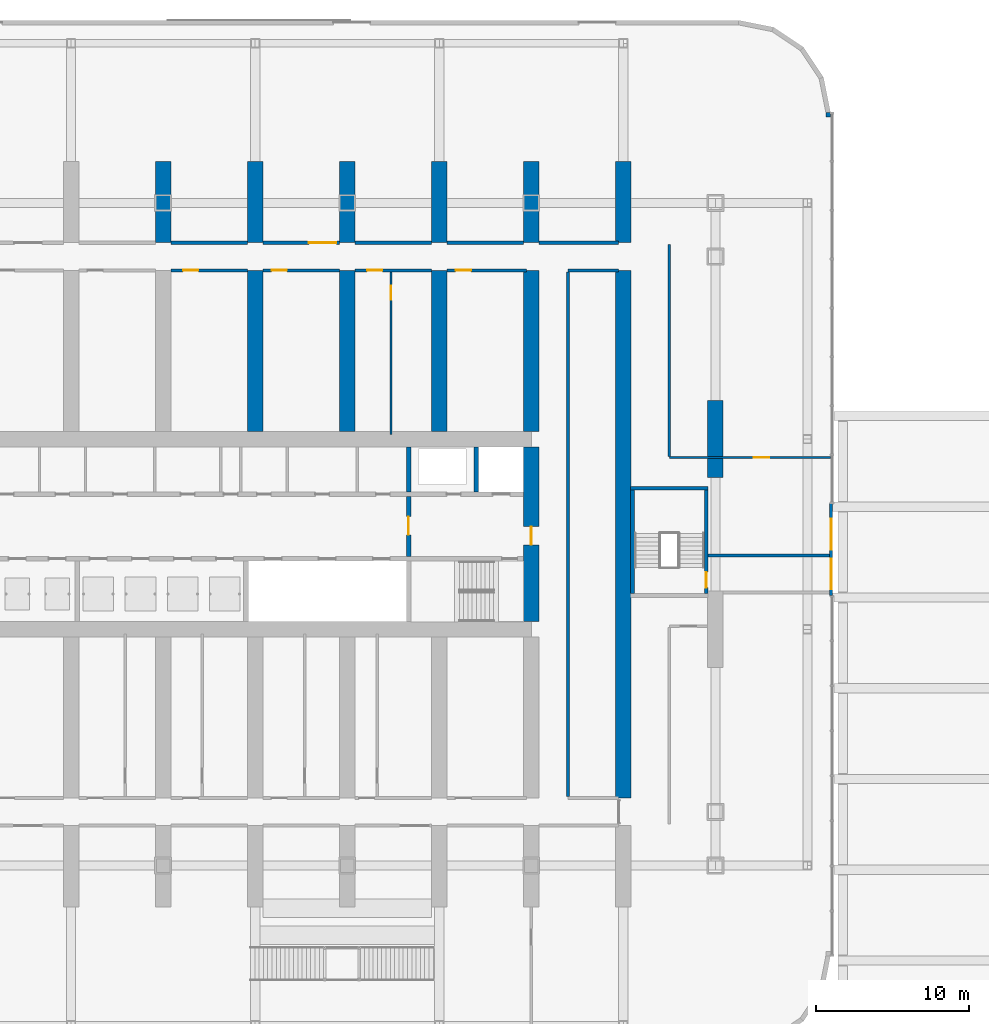
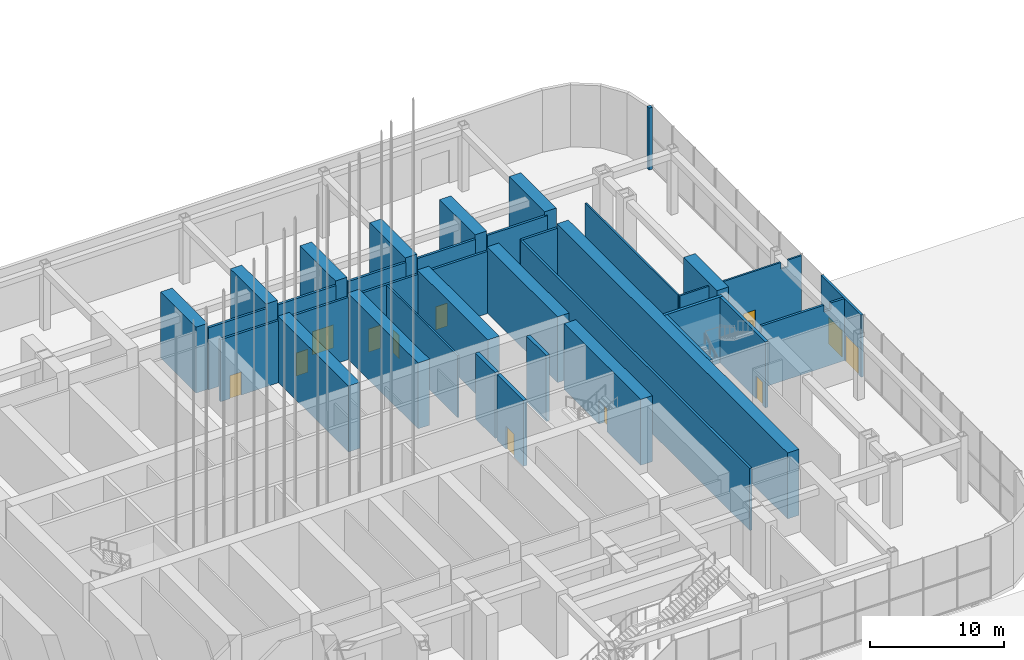
# One storey, part 21 of 57: 36 walls, 12 doors, 12 openings.
"""IFC4 building model written with IfcOpenShell, lengths in metres."""

from ifc_helpers import new_model, si_unit, direction, frame, frame_2d, origin, place, context, subcontext, project, spatial, polyline, rectangle, outline, extrude, material, layer, layer_set, type_object, element, fill, save


model = new_model("IFC4")

# Units and contexts
model_context = context("Model", 3, precision=1e-05, world=origin(), true_north=direction((0.0, 1.0)))
body_context = subcontext(model_context, "Body", "Model", "MODEL_VIEW")
ifc_project = project(units=[si_unit("LENGTHUNIT", "METRE"), si_unit("AREAUNIT", "SQUARE_METRE"), si_unit("VOLUMEUNIT", "CUBIC_METRE"), si_unit("PLANEANGLEUNIT", "RADIAN"), si_unit("MASSUNIT", "GRAM", prefix="KILO")], contexts=[model_context])

# Site, building, storey
site_placement = place(None, origin())
site = spatial("IfcSite", under=ifc_project, at=site_placement, CompositionType="ELEMENT")
building_placement = place(site_placement, origin())
building = spatial("IfcBuilding", under=site, at=building_placement, Name="Orbita Commons", CompositionType="ELEMENT")
storey_placement = place(building_placement, origin())
storey = spatial("IfcBuildingStorey", under=building, at=storey_placement, Name="L00", CompositionType="ELEMENT", Elevation=0.0)

# Wall, opening, door
ifc_material_1 = material(Name="Concrete C50/60", Category="concrete")
ifc_layer_1 = layer(ifc_material_1, 0.300048828125)
ifc_layer_set_1 = layer_set([ifc_layer_1], Name="Concrete C50/60")
wall_type_1 = type_object("IfcWallType", Name="Core inner wall 300 C50/60", PredefinedType="SHEAR", material=ifc_layer_set_1)
wall_1_placement = place(storey_placement, frame((58.0, 30.550048828125, 0.0), z_axis=(0.0, 0.0, 1.0), x_axis=(0.0, 1.0, 0.0)))
wall_1 = element("IfcWall", 1, at=wall_1_placement, inside=storey, type_object=wall_type_1, Name="Firefighting lobby wall east L00", PredefinedType="SHEAR", context=body_context, shape_type="SweptSolid", body=[
    extrude(rectangle(XDim=3.89990234375, YDim=0.300048828125, at=frame_2d((1.949951171875, 0.0))), origin(), (0.0, 0.0, 1.0), 6.0),
])
opening_1_placement = place(wall_1_placement, frame((1.39990234375, 0.0, 0.0)))
opening_1 = element("IfcOpeningElement", 2, at=opening_1_placement, cuts=wall_1, Name="Opening D04", PredefinedType="OPENING", context=body_context, shape_type="SweptSolid", body=[
    extrude(rectangle(XDim=1.199951171875, YDim=2.10009765625, at=frame_2d((0.60009765625, 1.050048828125))), frame((0.0, 0.159912109375, 0.0), z_axis=(0.0, -1.0, 0.0), x_axis=(1.0, 0.0, 0.0)), (0.0, 0.0, 1.0), 0.320068359375),
])
ifc_material_2 = material(Name="Steel-faced fire door leaf", Category="steel")
door_type_1 = type_object("IfcDoorType", Name="Service door 20 min 1200x2100", OperationType="SINGLE_SWING_LEFT", PredefinedType="DOOR", material=ifc_material_2)
door_1_placement = place(opening_1_placement, origin())
door_1 = element("IfcDoor", 3, at=door_1_placement, inside=storey, type_object=door_type_1, Name="Lift lobby door east", OperationType="SINGLE_SWING_LEFT", OverallHeight=2.10009765625, OverallWidth=1.199951171875, PredefinedType="DOOR", context=body_context, shape_type="SweptSolid", body=[
    extrude(rectangle(XDim=1.199951171875, YDim=2.10009765625, at=frame_2d((0.60009765625, 1.050048828125))), frame((0.0, 0.02490234375, 0.0), z_axis=(0.0, -1.0, 0.0), x_axis=(1.0, 0.0, 0.0)), (0.0, 0.0, 1.0), 0.050048828125),
])
fill(opening_1, door_1)

# Walls
for number, where, z_axis, x_axis, name in (
    (4, (62.39990234375, 34.75, 0.0), (0.0, 0.0, 1.0), (0.0, 1.0, 0.0), "Firefighting lift FL2 shaft wall L00"),
    (5, (58.0, 34.75, 0.0), (0.0, 0.0, 1.0), (0.0, 1.0, 0.0), "Riser wall east L00"),
):
    element("IfcWall", number, at=place(storey_placement, frame(where, z_axis=z_axis, x_axis=x_axis)), inside=storey, type_object=wall_type_1, Name=name, PredefinedType="SHEAR", context=body_context, shape_type="SweptSolid", body=[
        extrude(rectangle(XDim=2.949951171875, YDim=0.300048828125, at=frame_2d((1.47509765625, 0.0))), origin(), (0.0, 0.0, 1.0), 6.0),
    ])

# Wall, opening, door
ifc_material_3 = material(Name="Concrete C50/60", Category="concrete")
ifc_layer_2 = layer(ifc_material_3, 1.0)
ifc_layer_set_2 = layer_set([ifc_layer_2], Name="Concrete C50/60")
wall_type_2 = type_object("IfcWallType", Name="Core wall 1000 C50/60", PredefinedType="SHEAR", material=ifc_layer_set_2)
wall_2_placement = place(storey_placement, frame((66.0, 26.300048828125, 0.0), z_axis=(0.0, 0.0, 1.0), x_axis=(0.0, 1.0, 0.0)))
wall_2 = element("IfcWall", 6, at=wall_2_placement, inside=storey, type_object=wall_type_2, Name="Core end wall east L00", PredefinedType="SHEAR", context=body_context, shape_type="SweptSolid", body=[
    extrude(rectangle(XDim=11.39990234375, YDim=1.0, at=frame_2d((5.699951171875, 0.0))), origin(), (0.0, 0.0, 1.0), 6.0),
])
opening_2_placement = place(wall_2_placement, frame((5.0, 0.0, 0.0)))
opening_2 = element("IfcOpeningElement", 7, at=opening_2_placement, cuts=wall_2, Name="Opening D01", PredefinedType="OPENING", context=body_context, shape_type="SweptSolid", body=[
    extrude(rectangle(XDim=1.199951171875, YDim=2.10009765625, at=frame_2d((0.60009765625, 1.050048828125))), frame((0.0, 0.510009765625, 0.0), z_axis=(0.0, -1.0, 0.0), x_axis=(1.0, 0.0, 0.0)), (0.0, 0.0, 1.0), 1.02001953125),
])
ifc_material_4 = material(Name="Steel-faced fire door leaf", Category="steel")
door_type_2 = type_object("IfcDoorType", Name="Fire door 90 min 1200x2100", OperationType="SINGLE_SWING_LEFT", PredefinedType="DOOR", material=ifc_material_4)
door_2_placement = place(opening_2_placement, origin())
door_2 = element("IfcDoor", 8, at=door_2_placement, inside=storey, type_object=door_type_2, Name="Firefighting lobby east door", OperationType="SINGLE_SWING_LEFT", OverallHeight=2.10009765625, OverallWidth=1.199951171875, PredefinedType="DOOR", context=body_context, shape_type="SweptSolid", body=[
    extrude(rectangle(XDim=1.199951171875, YDim=2.10009765625, at=frame_2d((0.60009765625, 1.050048828125))), frame((0.0, 0.02490234375, 0.0), z_axis=(0.0, -1.0, 0.0), x_axis=(1.0, 0.0, 0.0)), (0.0, 0.0, 1.0), 0.050048828125),
])
fill(opening_2, door_2)

# Wall
ifc_material_5 = material(Name="Concrete blockwork", Category="masonry")
ifc_layer_3 = layer(ifc_material_5, 0.199951171875)
ifc_layer_set_3 = layer_set([ifc_layer_3], Name="Concrete blockwork")
wall_type_3 = type_object("IfcWallType", Name="Corridor wall 200 blockwork", PredefinedType="SOLIDWALL", material=ifc_layer_set_3)
wall_3_placement = place(storey_placement, frame((42.5, 51.0, 0.0), z_axis=(0.0, 0.0, 1.0), x_axis=(1.0, 0.0, 0.0)))
element("IfcWall", 9, at=wall_3_placement, inside=storey, type_object=wall_type_3, Name="Corridor wall 200 blockwork L00", PredefinedType="SOLIDWALL", context=body_context, shape_type="SweptSolid", body=[
    extrude(rectangle(XDim=5.0, YDim=0.199951171875, at=frame_2d((2.5, 0.0))), origin(), (0.0, 0.0, 1.0), 5.64990234375),
])

# Wall, opening, door
wall_4_placement = place(storey_placement, frame((48.5, 51.0, 0.0), z_axis=(0.0, 0.0, 1.0), x_axis=(1.0, 0.0, 0.0)))
wall_4 = element("IfcWall", 10, at=wall_4_placement, inside=storey, type_object=wall_type_3, Name="Corridor wall 200 blockwork L00", PredefinedType="SOLIDWALL", context=body_context, shape_type="SweptSolid", body=[
    extrude(rectangle(XDim=5.0, YDim=0.199951171875, at=frame_2d((2.5, 0.0))), origin(), (0.0, 0.0, 1.0), 5.64990234375),
])
opening_3_placement = place(wall_4_placement, frame((3.0, 0.0, 0.0)))
opening_3 = element("IfcOpeningElement", 11, at=opening_3_placement, cuts=wall_4, Name="Opening D07", PredefinedType="OPENING", context=body_context, shape_type="SweptSolid", body=[
    extrude(rectangle(XDim=1.800048828125, YDim=2.10009765625, at=frame_2d((0.89990234375, 1.050048828125))), frame((0.0, 0.10986328125, 0.0), z_axis=(0.0, -1.0, 0.0), x_axis=(1.0, 0.0, 0.0)), (0.0, 0.0, 1.0), 0.219970703125),
])
ifc_material_6 = material(Name="Steel-faced fire door leaf", Category="steel")
door_type_3 = type_object("IfcDoorType", Name="Double corridor door 20 min 1800x2100", OperationType="DOUBLE_DOOR_SINGLE_SWING", PredefinedType="DOOR", material=ifc_material_6)
door_3_placement = place(opening_3_placement, origin())
door_3 = element("IfcDoor", 12, at=door_3_placement, inside=storey, type_object=door_type_3, Name="Hall doors north", OperationType="DOUBLE_DOOR_SINGLE_SWING", OverallHeight=2.10009765625, OverallWidth=1.800048828125, PredefinedType="DOOR", context=body_context, shape_type="SweptSolid", body=[
    extrude(rectangle(XDim=1.800048828125, YDim=2.10009765625, at=frame_2d((0.89990234375, 1.050048828125))), frame((0.0, 0.02490234375, 0.0), z_axis=(0.0, -1.0, 0.0), x_axis=(1.0, 0.0, 0.0)), (0.0, 0.0, 1.0), 0.050048828125),
])
fill(opening_3, door_3)

# Walls
for number, where, z_axis, x_axis, name in (
    (13, (54.5, 51.0, 0.0), (0.0, 0.0, 1.0), (1.0, 0.0, 0.0), "Corridor wall 200 blockwork L00"),
    (14, (60.5, 51.0, 0.0), (0.0, 0.0, 1.0), (1.0, 0.0, 0.0), "Corridor wall 200 blockwork L00"),
):
    element("IfcWall", number, at=place(storey_placement, frame(where, z_axis=z_axis, x_axis=x_axis)), inside=storey, type_object=wall_type_3, Name=name, PredefinedType="SOLIDWALL", context=body_context, shape_type="SweptSolid", body=[
        extrude(rectangle(XDim=5.0, YDim=0.199951171875, at=frame_2d((2.5, 0.0))), origin(), (0.0, 0.0, 1.0), 5.64990234375),
    ])
wall_5_placement = place(storey_placement, frame((66.5, 51.0, 0.0), z_axis=(0.0, 0.0, 1.0), x_axis=(1.0, 0.0, 0.0)))
element("IfcWall", 15, at=wall_5_placement, inside=storey, type_object=wall_type_3, Name="Corridor wall 200 blockwork L00", PredefinedType="SOLIDWALL", context=body_context, shape_type="SweptSolid", body=[
    extrude(rectangle(XDim=5.199951171875, YDim=0.199951171875, at=frame_2d((2.60009765625, 0.0))), origin(), (0.0, 0.0, 1.0), 5.64990234375),
])
wall_6_placement = place(storey_placement, frame((68.39990234375, 49.199951171875, 0.0), z_axis=(0.0, 0.0, 1.0), x_axis=(1.0, 0.0, 0.0)))
element("IfcWall", 16, at=wall_6_placement, inside=storey, type_object=wall_type_3, Name="Corridor wall 200 blockwork L00", PredefinedType="SOLIDWALL", context=body_context, shape_type="SweptSolid", body=[
    extrude(rectangle(XDim=3.300048828125, YDim=0.199951171875, at=frame_2d((1.64990234375, 0.0))), origin(), (0.0, 0.0, 1.0), 5.64990234375),
])
wall_7_placement = place(storey_placement, frame((68.39990234375, 14.89990234375, 0.0), z_axis=(0.0, 0.0, 1.0), x_axis=(0.0, 1.0, 0.0)))
element("IfcWall", 17, at=wall_7_placement, inside=storey, type_object=wall_type_3, Name="Corridor wall 200 blockwork L00", PredefinedType="SOLIDWALL", context=body_context, shape_type="SweptSolid", body=[
    extrude(rectangle(XDim=34.2001953125, YDim=0.199951171875, at=frame_2d((17.10009765625, 0.0))), origin(), (0.0, 0.0, 1.0), 5.64990234375),
])

# Wall, opening, door
wall_8_placement = place(storey_placement, frame((42.5, 49.199951171875, 0.0), z_axis=(0.0, 0.0, 1.0), x_axis=(1.0, 0.0, 0.0)))
wall_8 = element("IfcWall", 18, at=wall_8_placement, inside=storey, type_object=wall_type_3, Name="Corridor wall 200 blockwork L00", PredefinedType="SOLIDWALL", context=body_context, shape_type="SweptSolid", body=[
    extrude(rectangle(XDim=5.0, YDim=0.199951171875, at=frame_2d((2.5, 0.0))), origin(), (0.0, 0.0, 1.0), 5.64990234375),
])
opening_4_placement = place(wall_8_placement, frame((0.800048828125, 0.0, 0.0)))
opening_4 = element("IfcOpeningElement", 19, at=opening_4_placement, cuts=wall_8, Name="Opening D06", PredefinedType="OPENING", context=body_context, shape_type="SweptSolid", body=[
    extrude(rectangle(XDim=1.0, YDim=2.10009765625, at=frame_2d((0.5, 1.050048828125))), frame((0.0, 0.10986328125, 0.0), z_axis=(0.0, -1.0, 0.0), x_axis=(1.0, 0.0, 0.0)), (0.0, 0.0, 1.0), 0.219970703125),
])
ifc_material_7 = material(Name="Steel-faced fire door leaf", Category="steel")
door_type_4 = type_object("IfcDoorType", Name="Corridor door 20 min 1000x2100", OperationType="SINGLE_SWING_LEFT", PredefinedType="DOOR", material=ifc_material_7)
door_4_placement = place(opening_4_placement, origin())
door_4 = element("IfcDoor", 20, at=door_4_placement, inside=storey, type_object=door_type_4, Name="Room door", OperationType="SINGLE_SWING_LEFT", OverallHeight=2.10009765625, OverallWidth=1.0, PredefinedType="DOOR", context=body_context, shape_type="SweptSolid", body=[
    extrude(rectangle(XDim=1.0, YDim=2.10009765625, at=frame_2d((0.5, 1.050048828125))), frame((0.0, 0.02490234375, 0.0), z_axis=(0.0, -1.0, 0.0), x_axis=(1.0, 0.0, 0.0)), (0.0, 0.0, 1.0), 0.050048828125),
])
fill(opening_4, door_4)

wall_9_placement = place(storey_placement, frame((48.5, 49.199951171875, 0.0), z_axis=(0.0, 0.0, 1.0), x_axis=(1.0, 0.0, 0.0)))
wall_9 = element("IfcWall", 21, at=wall_9_placement, inside=storey, type_object=wall_type_3, Name="Corridor wall 200 blockwork L00", PredefinedType="SOLIDWALL", context=body_context, shape_type="SweptSolid", body=[
    extrude(rectangle(XDim=5.0, YDim=0.199951171875, at=frame_2d((2.5, 0.0))), origin(), (0.0, 0.0, 1.0), 5.64990234375),
])
opening_5_placement = place(wall_9_placement, frame((0.574951171875, 0.0, 0.0)))
opening_5 = element("IfcOpeningElement", 22, at=opening_5_placement, cuts=wall_9, Name="Opening D06", PredefinedType="OPENING", context=body_context, shape_type="SweptSolid", body=[
    extrude(rectangle(XDim=1.0, YDim=2.10009765625, at=frame_2d((0.5, 1.050048828125))), frame((0.0, 0.10986328125, 0.0), z_axis=(0.0, -1.0, 0.0), x_axis=(1.0, 0.0, 0.0)), (0.0, 0.0, 1.0), 0.219970703125),
])
door_5_placement = place(opening_5_placement, origin())
door_5 = element("IfcDoor", 23, at=door_5_placement, inside=storey, type_object=door_type_4, Name="Room door", OperationType="SINGLE_SWING_LEFT", OverallHeight=2.10009765625, OverallWidth=1.0, PredefinedType="DOOR", context=body_context, shape_type="SweptSolid", body=[
    extrude(rectangle(XDim=1.0, YDim=2.10009765625, at=frame_2d((0.5, 1.050048828125))), frame((0.0, 0.02490234375, 0.0), z_axis=(0.0, -1.0, 0.0), x_axis=(1.0, 0.0, 0.0)), (0.0, 0.0, 1.0), 0.050048828125),
])
fill(opening_5, door_5)

wall_10_placement = place(storey_placement, frame((54.5, 49.199951171875, 0.0), z_axis=(0.0, 0.0, 1.0), x_axis=(1.0, 0.0, 0.0)))
wall_10 = element("IfcWall", 24, at=wall_10_placement, inside=storey, type_object=wall_type_3, Name="Corridor wall 200 blockwork L00", PredefinedType="SOLIDWALL", context=body_context, shape_type="SweptSolid", body=[
    extrude(rectangle(XDim=5.0, YDim=0.199951171875, at=frame_2d((2.5, 0.0))), origin(), (0.0, 0.0, 1.0), 5.64990234375),
])
opening_6_placement = place(wall_10_placement, frame((0.800048828125, 0.0, 0.0)))
opening_6 = element("IfcOpeningElement", 25, at=opening_6_placement, cuts=wall_10, Name="Opening D06", PredefinedType="OPENING", context=body_context, shape_type="SweptSolid", body=[
    extrude(rectangle(XDim=1.0, YDim=2.10009765625, at=frame_2d((0.5, 1.050048828125))), frame((0.0, 0.10986328125, 0.0), z_axis=(0.0, -1.0, 0.0), x_axis=(1.0, 0.0, 0.0)), (0.0, 0.0, 1.0), 0.219970703125),
])
door_6_placement = place(opening_6_placement, origin())
door_6 = element("IfcDoor", 26, at=door_6_placement, inside=storey, type_object=door_type_4, Name="Room door", OperationType="SINGLE_SWING_LEFT", OverallHeight=2.10009765625, OverallWidth=1.0, PredefinedType="DOOR", context=body_context, shape_type="SweptSolid", body=[
    extrude(rectangle(XDim=1.0, YDim=2.10009765625, at=frame_2d((0.5, 1.050048828125))), frame((0.0, 0.02490234375, 0.0), z_axis=(0.0, -1.0, 0.0), x_axis=(1.0, 0.0, 0.0)), (0.0, 0.0, 1.0), 0.050048828125),
])
fill(opening_6, door_6)

wall_11_placement = place(storey_placement, frame((60.5, 49.199951171875, 0.0), z_axis=(0.0, 0.0, 1.0), x_axis=(1.0, 0.0, 0.0)))
wall_11 = element("IfcWall", 27, at=wall_11_placement, inside=storey, type_object=wall_type_3, Name="Corridor wall 200 blockwork L00", PredefinedType="SOLIDWALL", context=body_context, shape_type="SweptSolid", body=[
    extrude(rectangle(XDim=5.199951171875, YDim=0.199951171875, at=frame_2d((2.60009765625, 0.0))), origin(), (0.0, 0.0, 1.0), 5.64990234375),
])
opening_7_placement = place(wall_11_placement, frame((0.574951171875, 0.0, 0.0)))
opening_7 = element("IfcOpeningElement", 28, at=opening_7_placement, cuts=wall_11, Name="Opening D06", PredefinedType="OPENING", context=body_context, shape_type="SweptSolid", body=[
    extrude(rectangle(XDim=1.0, YDim=2.10009765625, at=frame_2d((0.5, 1.050048828125))), frame((0.0, 0.10986328125, 0.0), z_axis=(0.0, -1.0, 0.0), x_axis=(1.0, 0.0, 0.0)), (0.0, 0.0, 1.0), 0.219970703125),
])
door_7_placement = place(opening_7_placement, origin())
door_7 = element("IfcDoor", 29, at=door_7_placement, inside=storey, type_object=door_type_4, Name="Room door", OperationType="SINGLE_SWING_LEFT", OverallHeight=2.10009765625, OverallWidth=1.0, PredefinedType="DOOR", context=body_context, shape_type="SweptSolid", body=[
    extrude(rectangle(XDim=1.0, YDim=2.10009765625, at=frame_2d((0.5, 1.050048828125))), frame((0.0, 0.02490234375, 0.0), z_axis=(0.0, -1.0, 0.0), x_axis=(1.0, 0.0, 0.0)), (0.0, 0.0, 1.0), 0.050048828125),
])
fill(opening_7, door_7)

# Walls
ifc_material_8 = material(Name="Hollow concrete block 200", Category="concrete")
ifc_layer_4 = layer(ifc_material_8, 0.199951171875)
ifc_layer_set_4 = layer_set([ifc_layer_4], Name="Hollow concrete block 200")
wall_type_4 = type_object("IfcWallType", Name="Corridor wall 200 hollow concrete block", PredefinedType="SOLIDWALL", material=ifc_layer_set_4)
wall_12_placement = place(storey_placement, frame((77.52490234375, 30.60009765625, 0.0), z_axis=(0.0, 0.0, 1.0), x_axis=(1.0, 0.0, 0.0)))
element("IfcWall", 30, at=wall_12_placement, inside=storey, type_object=wall_type_4, Name="Corridor wall 200 hollow concrete block L00", PredefinedType="SOLIDWALL", context=body_context, shape_type="SweptSolid", body=[
    extrude(outline(polyline([(0.0, 0.0), (7.920166015625, 0.0), (7.919921875, 5.64990234375), (6.777099609375, 5.64990234375), (6.77490234375, 5.050048828125), (6.177001953125, 5.050048828125), (6.175048828125, 5.64990234375), (0.777099609375, 5.64990234375), (0.77490234375, 5.050048828125), (0.177001953125, 5.050048828125), (0.175048828125, 5.64990234375), (0.0, 5.64990234375), (0.0, 0.0)])), frame((0.0, 0.10009765625, 0.0), z_axis=(0.0, -1.0, 0.0), x_axis=(1.0, 0.0, 0.0)), (0.0, 0.0, 1.0), 0.199951171875),
])
ifc_material_9 = material(Name="Concrete C50/60", Category="concrete")
ifc_layer_5 = layer(ifc_material_9, 1.0)
ifc_layer_set_5 = layer_set([ifc_layer_5], Name="Concrete C50/60")
wall_type_5 = type_object("IfcWallType", Name="Cross wall 1000 C50/60", PredefinedType="SHEAR", material=ifc_layer_set_5)
for number, where, z_axis, x_axis, name in (
    (31, (42.0, 51.0, 0.0), (0.0, 0.0, 1.0), (0.0, 1.0, 0.0), "Cross wall 8 north outer L00"),
    (32, (48.0, 51.0, 0.0), (0.0, 0.0, 1.0), (0.0, 1.0, 0.0), "Cross wall 9 north outer L00"),
):
    element("IfcWall", number, at=place(storey_placement, frame(where, z_axis=z_axis, x_axis=x_axis)), inside=storey, type_object=wall_type_5, Name=name, PredefinedType="SHEAR", context=body_context, shape_type="SweptSolid", body=[
        extrude(rectangle(XDim=5.300048828125, YDim=1.0, at=frame_2d((2.64990234375, 0.0))), origin(), (0.0, 0.0, 1.0), 6.0),
    ])
wall_13_placement = place(storey_placement, frame((48.0, 38.699951171875, 0.0), z_axis=(0.0, 0.0, 1.0), x_axis=(0.0, 1.0, 0.0)))
element("IfcWall", 33, at=wall_13_placement, inside=storey, type_object=wall_type_5, Name="Cross wall 9 north inner L00", PredefinedType="SHEAR", context=body_context, shape_type="SweptSolid", body=[
    extrude(rectangle(XDim=10.5, YDim=1.0, at=frame_2d((5.25, 0.0))), origin(), (0.0, 0.0, 1.0), 6.0),
])
wall_14_placement = place(storey_placement, frame((54.0, 51.0, 0.0), z_axis=(0.0, 0.0, 1.0), x_axis=(0.0, 1.0, 0.0)))
element("IfcWall", 34, at=wall_14_placement, inside=storey, type_object=wall_type_5, Name="Cross wall 10 north outer L00", PredefinedType="SHEAR", context=body_context, shape_type="SweptSolid", body=[
    extrude(rectangle(XDim=5.300048828125, YDim=1.0, at=frame_2d((2.64990234375, 0.0))), origin(), (0.0, 0.0, 1.0), 6.0),
])
wall_15_placement = place(storey_placement, frame((54.0, 38.699951171875, 0.0), z_axis=(0.0, 0.0, 1.0), x_axis=(0.0, 1.0, 0.0)))
element("IfcWall", 35, at=wall_15_placement, inside=storey, type_object=wall_type_5, Name="Cross wall 10 north inner L00", PredefinedType="SHEAR", context=body_context, shape_type="SweptSolid", body=[
    extrude(rectangle(XDim=10.5, YDim=1.0, at=frame_2d((5.25, 0.0))), origin(), (0.0, 0.0, 1.0), 6.0),
])
wall_16_placement = place(storey_placement, frame((60.0, 51.0, 0.0), z_axis=(0.0, 0.0, 1.0), x_axis=(0.0, 1.0, 0.0)))
element("IfcWall", 36, at=wall_16_placement, inside=storey, type_object=wall_type_5, Name="Cross wall 11 north outer L00", PredefinedType="SHEAR", context=body_context, shape_type="SweptSolid", body=[
    extrude(rectangle(XDim=5.300048828125, YDim=1.0, at=frame_2d((2.64990234375, 0.0))), origin(), (0.0, 0.0, 1.0), 6.0),
])
wall_17_placement = place(storey_placement, frame((60.0, 38.699951171875, 0.0), z_axis=(0.0, 0.0, 1.0), x_axis=(0.0, 1.0, 0.0)))
element("IfcWall", 37, at=wall_17_placement, inside=storey, type_object=wall_type_5, Name="Cross wall 11 north inner L00", PredefinedType="SHEAR", context=body_context, shape_type="SweptSolid", body=[
    extrude(rectangle(XDim=10.5, YDim=1.0, at=frame_2d((5.25, 0.0))), origin(), (0.0, 0.0, 1.0), 6.0),
])
wall_18_placement = place(storey_placement, frame((66.0, 51.0, 0.0), z_axis=(0.0, 0.0, 1.0), x_axis=(0.0, 1.0, 0.0)))
element("IfcWall", 38, at=wall_18_placement, inside=storey, type_object=wall_type_5, Name="Cross wall 12 north outer L00", PredefinedType="SHEAR", context=body_context, shape_type="SweptSolid", body=[
    extrude(rectangle(XDim=5.300048828125, YDim=1.0, at=frame_2d((2.64990234375, 0.0))), origin(), (0.0, 0.0, 1.0), 6.0),
])
wall_19_placement = place(storey_placement, frame((66.0, 38.699951171875, 0.0), z_axis=(0.0, 0.0, 1.0), x_axis=(0.0, 1.0, 0.0)))
element("IfcWall", 39, at=wall_19_placement, inside=storey, type_object=wall_type_5, Name="Cross wall 12 north inner L00", PredefinedType="SHEAR", context=body_context, shape_type="SweptSolid", body=[
    extrude(rectangle(XDim=10.5, YDim=1.0, at=frame_2d((5.25, 0.0))), origin(), (0.0, 0.0, 1.0), 6.0),
])
wall_20_placement = place(storey_placement, frame((72.0, 51.0, 0.0), z_axis=(0.0, 0.0, 1.0), x_axis=(0.0, 1.0, 0.0)))
element("IfcWall", 40, at=wall_20_placement, inside=storey, type_object=wall_type_5, Name="Cross wall 13 north outer L00", PredefinedType="SHEAR", context=body_context, shape_type="SweptSolid", body=[
    extrude(rectangle(XDim=5.300048828125, YDim=1.0, at=frame_2d((2.64990234375, 0.0))), origin(), (0.0, 0.0, 1.0), 6.0),
])
wall_21_placement = place(storey_placement, frame((72.0, 14.800048828125, 0.0), z_axis=(0.0, 0.0, 1.0), x_axis=(0.0, 1.0, 0.0)))
element("IfcWall", 41, at=wall_21_placement, inside=storey, type_object=wall_type_5, Name="Cross wall 13 inner L00", PredefinedType="SHEAR", context=body_context, shape_type="SweptSolid", body=[
    extrude(rectangle(XDim=34.39990234375, YDim=1.0, at=frame_2d((17.199951171875, 0.0))), origin(), (0.0, 0.0, 1.0), 6.0),
])
ifc_material_10 = material(Name="Concrete C50/60", Category="concrete")
ifc_layer_6 = layer(ifc_material_10, 1.0)
ifc_layer_set_6 = layer_set([ifc_layer_6], Name="Concrete C50/60")
wall_type_6 = type_object("IfcWallType", Name="End pier 1000x5000 C50/60", PredefinedType="SHEAR", material=ifc_layer_set_6)
wall_22_placement = place(storey_placement, frame((78.0, 35.699951171875, 0.0), z_axis=(0.0, 0.0, 1.0), x_axis=(0.0, 1.0, 0.0)))
element("IfcWall", 42, at=wall_22_placement, inside=storey, type_object=wall_type_6, Name="End pier 14/D L00", PredefinedType="SHEAR", context=body_context, shape_type="SweptSolid", body=[
    extrude(rectangle(XDim=5.0, YDim=1.0, at=frame_2d((2.5, 0.0))), origin(), (0.0, 0.0, 1.0), 6.0),
])

# Wall, openings, doors
ifc_material_11 = material(Name="Aluminium framed glazed screen", Category="aluminium")
ifc_layer_7 = layer(ifc_material_11, 0.199951171875)
ifc_layer_set_7 = layer_set([ifc_layer_7], Name="Aluminium framed glazed screen")
wall_type_7 = type_object("IfcWallType", Name="Glazed entrance screen 200", PredefinedType="SOLIDWALL", material=ifc_layer_set_7)
wall_23_placement = place(storey_placement, frame((85.550048828125, 28.0, 0.0), z_axis=(0.0, 0.0, 1.0), x_axis=(0.0, 1.0, 0.0)))
wall_23 = element("IfcWall", 43, at=wall_23_placement, inside=storey, type_object=wall_type_7, Name="Entrance screen E 1", PredefinedType="SOLIDWALL", context=body_context, shape_type="SweptSolid", body=[
    extrude(rectangle(XDim=6.0, YDim=0.199951171875, at=frame_2d((3.0, 0.0))), origin(), (0.0, 0.0, 1.0), 5.64990234375),
])
opening_8_placement = place(wall_23_placement, frame((3.0, 0.0, 0.0)))
opening_8 = element("IfcOpeningElement", 44, at=opening_8_placement, cuts=wall_23, Name="Opening D91", PredefinedType="OPENING", context=body_context, shape_type="SweptSolid", body=[
    extrude(rectangle(XDim=2.0, YDim=2.39990234375, at=frame_2d((1.0, 1.199951171875))), frame((0.0, 0.10986328125, 0.0), z_axis=(0.0, -1.0, 0.0), x_axis=(1.0, 0.0, 0.0)), (0.0, 0.0, 1.0), 0.219970703125),
])
opening_9_placement = place(wall_23_placement, frame((0.39990234375, 0.0, 0.0)))
opening_9 = element("IfcOpeningElement", 45, at=opening_9_placement, cuts=wall_23, Name="Opening D91", PredefinedType="OPENING", context=body_context, shape_type="SweptSolid", body=[
    extrude(rectangle(XDim=2.0, YDim=2.39990234375, at=frame_2d((1.0, 1.199951171875))), frame((0.0, 0.10986328125, 0.0), z_axis=(0.0, -1.0, 0.0), x_axis=(1.0, 0.0, 0.0)), (0.0, 0.0, 1.0), 0.219970703125),
])
ifc_material_12 = material(Name="Aluminium glazed door", Category="aluminium")
door_type_5 = type_object("IfcDoorType", Name="Entrance door pair 2000x2400", OperationType="DOUBLE_DOOR_SINGLE_SWING", PredefinedType="DOOR", material=ifc_material_12)
door_8_placement = place(opening_8_placement, origin())
door_8 = element("IfcDoor", 46, at=door_8_placement, inside=storey, type_object=door_type_5, Name="Entrance doors E 1", OperationType="DOUBLE_DOOR_SINGLE_SWING", OverallHeight=2.39990234375, OverallWidth=2.0, PredefinedType="DOOR", context=body_context, shape_type="SweptSolid", body=[
    extrude(rectangle(XDim=2.0, YDim=2.39990234375, at=frame_2d((1.0, 1.199951171875))), frame((0.0, 0.02490234375, 0.0), z_axis=(0.0, -1.0, 0.0), x_axis=(1.0, 0.0, 0.0)), (0.0, 0.0, 1.0), 0.050048828125),
])
fill(opening_8, door_8)
door_9_placement = place(opening_9_placement, frame((2.0, 0.0, 0.0), z_axis=(0.0, 0.0, 1.0), x_axis=(-1.0, 0.0, 0.0)))
door_9 = element("IfcDoor", 47, at=door_9_placement, inside=storey, type_object=door_type_5, Name="Exit doors E 1", OperationType="DOUBLE_DOOR_SINGLE_SWING", OverallHeight=2.39990234375, OverallWidth=2.0, PredefinedType="DOOR", context=body_context, shape_type="SweptSolid", body=[
    extrude(rectangle(XDim=2.0, YDim=2.39990234375, at=frame_2d((1.0, 1.199951171875))), frame((0.0, 0.02490234375, 0.0), z_axis=(0.0, -1.0, 0.0), x_axis=(1.0, 0.0, 0.0)), (0.0, 0.0, 1.0), 0.050048828125),
])
fill(opening_9, door_9)

# Wall, opening, door
ifc_material_13 = material(Name="Gypsum plasterboard on steel studs", Category="steel")
ifc_layer_8 = layer(ifc_material_13, 0.14990234375)
ifc_layer_set_8 = layer_set([ifc_layer_8], Name="Gypsum plasterboard on steel studs")
wall_type_8 = type_object("IfcWallType", Name="Partition 150 plasterboard", PredefinedType="PARTITIONING", material=ifc_layer_set_8)
wall_24_placement = place(storey_placement, frame((56.85009765625, 38.5, 0.0), z_axis=(0.0, 0.0, 1.0), x_axis=(0.0, 1.0, 0.0)))
wall_24 = element("IfcWall", 48, at=wall_24_placement, inside=storey, type_object=wall_type_8, Name="Partition 150 plasterboard L00", PredefinedType="PARTITIONING", context=body_context, shape_type="SweptSolid", body=[
    extrude(rectangle(XDim=10.699951171875, YDim=0.14990234375, at=frame_2d((5.35009765625, 0.0))), origin(), (0.0, 0.0, 1.0), 5.64990234375),
])
opening_10_placement = place(wall_24_placement, frame((8.800048828125, 0.0, 0.0)))
opening_10 = element("IfcOpeningElement", 49, at=opening_10_placement, cuts=wall_24, Name="Opening D09", PredefinedType="OPENING", context=body_context, shape_type="SweptSolid", body=[
    extrude(rectangle(XDim=0.89990234375, YDim=2.10009765625, at=frame_2d((0.449951171875, 1.050048828125))), frame((0.0, 0.0849609375, 0.0), z_axis=(0.0, -1.0, 0.0), x_axis=(1.0, 0.0, 0.0)), (0.0, 0.0, 1.0), 0.169921875),
])
ifc_material_14 = material(Name="Laminated timber door leaf", Category="wood")
door_type_6 = type_object("IfcDoorType", Name="En-suite door 900x2100", OperationType="SINGLE_SWING_RIGHT", PredefinedType="DOOR", material=ifc_material_14)
door_10_placement = place(opening_10_placement, origin())
door_10 = element("IfcDoor", 50, at=door_10_placement, inside=storey, type_object=door_type_6, Name="Bicycle parts store L00 door", OperationType="SINGLE_SWING_RIGHT", OverallHeight=2.10009765625, OverallWidth=0.89990234375, PredefinedType="DOOR", context=body_context, shape_type="SweptSolid", body=[
    extrude(rectangle(XDim=0.89990234375, YDim=2.10009765625, at=frame_2d((0.449951171875, 1.050048828125))), frame((0.0, 0.02490234375, 0.0), z_axis=(0.0, -1.0, 0.0), x_axis=(1.0, 0.0, 0.0)), (0.0, 0.0, 1.0), 0.050048828125),
])
fill(opening_10, door_10)

wall_25_placement = place(storey_placement, frame((75.0, 37.0, 0.0), z_axis=(0.0, 0.0, 1.0), x_axis=(1.0, 0.0, 0.0)))
wall_25 = element("IfcWall", 51, at=wall_25_placement, inside=storey, type_object=wall_type_8, Name="Partition 150 plasterboard L00", PredefinedType="PARTITIONING", context=body_context, shape_type="SweptSolid", body=[
    extrude(outline(polyline([(0.0, 0.0), (10.489990234375, 0.0), (10.489990234375, 5.64990234375), (9.302001953125, 5.64990234375), (9.300048828125, 5.050048828125), (8.701904296875, 5.050048828125), (8.699951171875, 5.64990234375), (0.0, 5.64990234375), (0.0, 0.0)])), frame((0.0, 0.074951171875, 0.0), z_axis=(0.0, -1.0, 0.0), x_axis=(1.0, 0.0, 0.0)), (0.0, 0.0, 1.0), 0.14990234375),
])
opening_11_placement = place(wall_25_placement, frame((5.5, 0.0, 0.0)))
opening_11 = element("IfcOpeningElement", 52, at=opening_11_placement, cuts=wall_25, Name="Opening D06", PredefinedType="OPENING", context=body_context, shape_type="SweptSolid", body=[
    extrude(rectangle(XDim=1.0, YDim=2.10009765625, at=frame_2d((0.5, 1.050048828125))), frame((0.0, 0.0849609375, 0.0), z_axis=(0.0, -1.0, 0.0), x_axis=(1.0, 0.0, 0.0)), (0.0, 0.0, 1.0), 0.169921875),
])
door_11_placement = place(opening_11_placement, origin())
door_11 = element("IfcDoor", 53, at=door_11_placement, inside=storey, type_object=door_type_4, Name="Residents' workshop door", OperationType="SINGLE_SWING_LEFT", OverallHeight=2.10009765625, OverallWidth=1.0, PredefinedType="DOOR", context=body_context, shape_type="SweptSolid", body=[
    extrude(rectangle(XDim=1.0, YDim=2.10009765625, at=frame_2d((0.5, 1.050048828125))), frame((0.0, 0.02490234375, 0.0), z_axis=(0.0, -1.0, 0.0), x_axis=(1.0, 0.0, 0.0)), (0.0, 0.0, 1.0), 0.050048828125),
])
fill(opening_11, door_11)

# Wall
wall_26_placement = place(storey_placement, frame((75.0, 37.074951171875, 0.0), z_axis=(0.0, 0.0, 1.0), x_axis=(0.0, 1.0, 0.0)))
element("IfcWall", 54, at=wall_26_placement, inside=storey, type_object=wall_type_8, Name="Partition 150 plasterboard L00", PredefinedType="PARTITIONING", context=body_context, shape_type="SweptSolid", body=[
    extrude(rectangle(XDim=13.824951171875, YDim=0.14990234375, at=frame_2d((6.91259765625, 0.0))), origin(), (0.0, 0.0, 1.0), 5.64990234375),
])

# Wall, opening, door
ifc_material_15 = material(Name="Concrete C50/60", Category="concrete")
ifc_layer_9 = layer(ifc_material_15, 0.25)
ifc_layer_set_9 = layer_set([ifc_layer_9], Name="Concrete C50/60")
wall_type_9 = type_object("IfcWallType", Name="Podium stair wall 250 RC", PredefinedType="SHEAR", material=ifc_layer_set_9)
wall_27_placement = place(storey_placement, frame((77.39990234375, 28.125, 0.0), z_axis=(0.0, 0.0, 1.0), x_axis=(0.0, 1.0, 0.0)))
wall_27 = element("IfcWall", 55, at=wall_27_placement, inside=storey, type_object=wall_type_9, Name="Podium stair PS2 wall e L00", PredefinedType="SHEAR", context=body_context, shape_type="SweptSolid", body=[
    extrude(rectangle(XDim=6.75, YDim=0.25, at=frame_2d((3.375, 0.0))), origin(), (0.0, 0.0, 1.0), 6.0),
])
opening_12_placement = place(wall_27_placement, frame((0.39990234375, 0.0, 0.0)))
opening_12 = element("IfcOpeningElement", 56, at=opening_12_placement, cuts=wall_27, Name="Opening D02", PredefinedType="OPENING", context=body_context, shape_type="SweptSolid", body=[
    extrude(rectangle(XDim=1.0, YDim=2.10009765625, at=frame_2d((0.5, 1.050048828125))), frame((0.0, 0.135009765625, 0.0), z_axis=(0.0, -1.0, 0.0), x_axis=(1.0, 0.0, 0.0)), (0.0, 0.0, 1.0), 0.27001953125),
])
ifc_material_16 = material(Name="Steel-faced fire door leaf", Category="steel")
door_type_7 = type_object("IfcDoorType", Name="Fire door 90 min 1000x2100", OperationType="SINGLE_SWING_LEFT", PredefinedType="DOOR", material=ifc_material_16)
door_12_placement = place(opening_12_placement, origin())
door_12 = element("IfcDoor", 57, at=door_12_placement, inside=storey, type_object=door_type_7, Name="Podium exit stair PS2 door", OperationType="SINGLE_SWING_LEFT", OverallHeight=2.10009765625, OverallWidth=1.0, PredefinedType="DOOR", context=body_context, shape_type="SweptSolid", body=[
    extrude(rectangle(XDim=1.0, YDim=2.10009765625, at=frame_2d((0.5, 1.050048828125))), frame((0.0, 0.02490234375, 0.0), z_axis=(0.0, -1.0, 0.0), x_axis=(1.0, 0.0, 0.0)), (0.0, 0.0, 1.0), 0.050048828125),
])
fill(opening_12, door_12)

# Walls
wall_28_placement = place(storey_placement, frame((77.52490234375, 35.0, 0.0), z_axis=(0.0, 0.0, 1.0), x_axis=(-1.0, 0.0, 0.0)))
element("IfcWall", 58, at=wall_28_placement, inside=storey, type_object=wall_type_9, Name="Podium stair PS2 wall n L00", PredefinedType="SHEAR", context=body_context, shape_type="SweptSolid", body=[
    extrude(rectangle(XDim=5.0498046875, YDim=0.25, at=frame_2d((2.52490234375, 0.0))), origin(), (0.0, 0.0, 1.0), 6.0),
])
wall_29_placement = place(storey_placement, frame((72.60009765625, 34.875, 0.0), z_axis=(0.0, 0.0, 1.0), x_axis=(0.0, -1.0, 0.0)))
element("IfcWall", 59, at=wall_29_placement, inside=storey, type_object=wall_type_9, Name="Podium stair PS2 wall w L00", PredefinedType="SHEAR", context=body_context, shape_type="SweptSolid", body=[
    extrude(rectangle(XDim=6.75, YDim=0.25, at=frame_2d((3.375, 0.0))), origin(), (0.0, 0.0, 1.0), 6.0),
])
ifc_material_17 = material(Name="Precast concrete C40/50, white board-marked finish", Category="concrete")
ifc_layer_10 = layer(ifc_material_17, 0.300048828125)
ifc_layer_set_10 = layer_set([ifc_layer_10], Name="Precast concrete C40/50, white board-marked finish")
wall_type_10 = type_object("IfcWallType", Name="Precast concrete end shield 300", PredefinedType="SOLIDWALL", material=ifc_layer_set_10)
wall_30_placement = place(storey_placement, frame((85.35009765625, 59.5, 0.0), z_axis=(0.0, 0.0, 1.0), x_axis=(0.0, -1.0, 0.0)))
element("IfcWall", 60, at=wall_30_placement, inside=storey, type_object=wall_type_10, Name="Podium corner wall jamb E2 L00", PredefinedType="SOLIDWALL", context=body_context, shape_type="SweptSolid", body=[
    extrude(rectangle(XDim=0.300048828125, YDim=0.300048828125, at=frame_2d((0.14990234375, 0.0))), origin(), (0.0, 0.0, 1.0), 5.64990234375),
])

save(model, "model.ifc")
